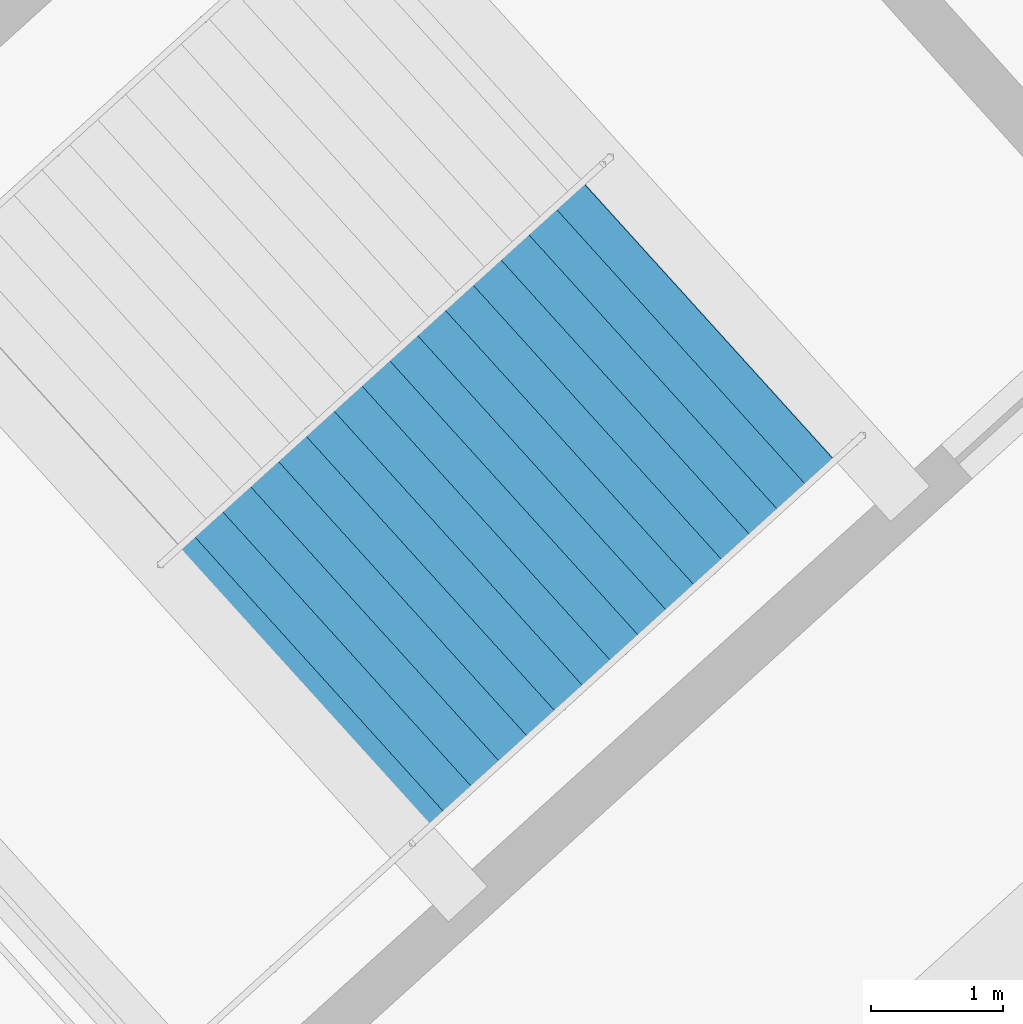
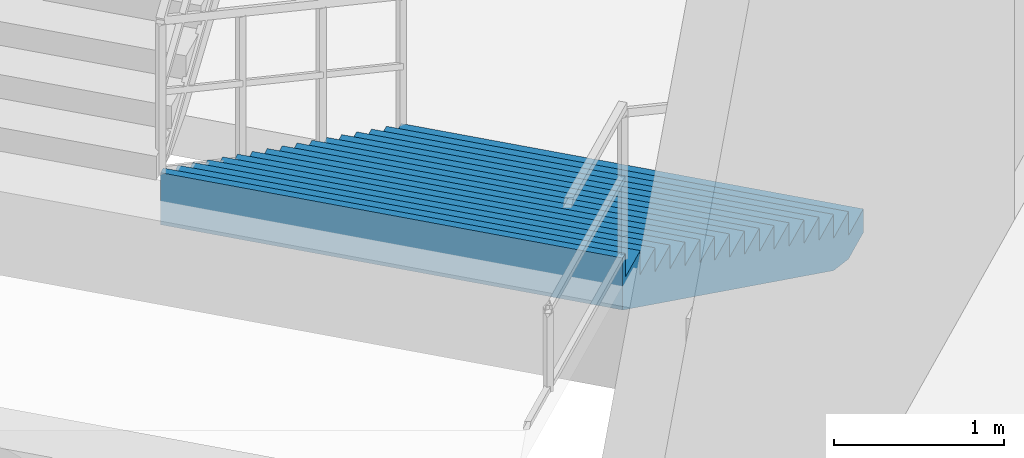
# One storey, part 36 of 48: 1 stair flight, 1 element without a shape of its own.
"""IFC4 building model written with IfcOpenShell, lengths in metres."""

from ifc_helpers import new_model, si_unit, direction, frame, origin, place, context, subcontext, project, spatial, polygons, material, type_object, element, aggregate, save


model = new_model("IFC4")

# Units and contexts
model_context = context("Model", 3, precision=1e-05, world=origin(), true_north=direction((0.0, 1.0)))
body_context = subcontext(model_context, "Body", "Model", "MODEL_VIEW")
ifc_project = project(units=[si_unit("LENGTHUNIT", "METRE"), si_unit("AREAUNIT", "SQUARE_METRE"), si_unit("VOLUMEUNIT", "CUBIC_METRE"), si_unit("PLANEANGLEUNIT", "RADIAN"), si_unit("MASSUNIT", "GRAM", prefix="KILO")], contexts=[model_context])

# Site, building, storey
site_placement = place(None, origin())
site = spatial("IfcSite", under=ifc_project, at=site_placement, CompositionType="ELEMENT")
building_placement = place(site_placement, origin())
building = spatial("IfcBuilding", under=site, at=building_placement, Name="Kazemori Nagisa Stadium", CompositionType="ELEMENT")
storey_placement = place(building_placement, origin())
storey = spatial("IfcBuildingStorey", under=building, at=storey_placement, Name="L00", CompositionType="ELEMENT", Elevation=0.0)

# Stair, stair flight
ifc_material = material(Name="Concrete C36/45 (Fc36)", Category="concrete")
stair_type = type_object("IfcStairType", Name="Stair_CORE_34", PredefinedType="TWO_STRAIGHT_RUN_STAIR", material=ifc_material)
stair_placement = place(storey_placement, origin())
stair = element("IfcStair", 1, at=stair_placement, inside=storey, type_object=stair_type, Name="Exit stair ST02 L00", PredefinedType="TWO_STRAIGHT_RUN_STAIR")
stair_flight_type = type_object("IfcStairFlightType", Name="Flight_CORE_17", PredefinedType="STRAIGHT", material=ifc_material)
stair_flight_placement = place(storey_placement, frame((63.22412109375, 164.589599609375, 0.0), z_axis=(0.0, 0.0, 1.0), x_axis=(-0.741355642131, -0.671112369041, 0.0)))
stair_flight = element("IfcStairFlight", 2, at=stair_flight_placement, type_object=stair_flight_type, Name="Exit stair ST02 L00 flight 1", NumberOfRisers=17, NumberOfTreads=16, PredefinedType="STRAIGHT", RiserHeight=0.17, TreadLength=0.285, context=body_context, shape_type="Tessellation", body=[
    polygons([(0.0, -1.425048828125, 0.0), (0.0, -1.425048828125, 0.169921875), (0.284912109375, -1.425048828125, 0.169921875), (0.284912109375, -1.425048828125, 0.340087890625), (0.570068359375, -1.425048828125, 0.340087890625), (0.570068359375, -1.425048828125, 0.510009765625), (0.85498046875, -1.425048828125, 0.510009765625), (0.85498046875, -1.425048828125, 0.679931640625), (1.139892578125, -1.425048828125, 0.679931640625), (1.139892578125, -1.425048828125, 0.85009765625), (1.425048828125, -1.425048828125, 0.85009765625), (1.425048828125, -1.425048828125, 1.02001953125), (1.7099609375, -1.425048828125, 1.02001953125), (1.7099609375, -1.425048828125, 1.18994140625), (1.9951171875, -1.425048828125, 1.18994140625), (1.9951171875, -1.425048828125, 1.360107421875), (2.280029296875, -1.425048828125, 1.360107421875), (2.280029296875, -1.425048828125, 1.530029296875), (2.56494140625, -1.425048828125, 1.530029296875), (2.56494140625, -1.425048828125, 1.699951171875), (2.85009765625, -1.425048828125, 1.699951171875), (2.85009765625, -1.425048828125, 1.8701171875), (3.135009765625, -1.425048828125, 1.8701171875), (3.135009765625, -1.425048828125, 2.0400390625), (3.419921875, -1.425048828125, 2.0400390625), (3.419921875, -1.425048828125, 2.2099609375), (3.705078125, -1.425048828125, 2.2099609375), (3.705078125, -1.425048828125, 2.3798828125), (3.989990234375, -1.425048828125, 2.3798828125), (3.989990234375, -1.425048828125, 2.550048828125), (4.27490234375, -1.425048828125, 2.550048828125), (4.27490234375, -1.425048828125, 2.719970703125), (4.56005859375, -1.425048828125, 2.719970703125), (4.56005859375, -1.425048828125, 2.889892578125), (4.610107421875, -1.425048828125, 2.889892578125), (4.610107421875, -1.425048828125, 2.51708984375), (4.56005859375, -1.425048828125, 2.487060546875), (4.27490234375, -1.425048828125, 2.317138671875), (3.989990234375, -1.425048828125, 2.147216796875), (3.705078125, -1.425048828125, 1.977294921875), (3.419921875, -1.425048828125, 1.80712890625), (3.135009765625, -1.425048828125, 1.63720703125), (2.85009765625, -1.425048828125, 1.46728515625), (2.56494140625, -1.425048828125, 1.297119140625), (2.280029296875, -1.425048828125, 1.127197265625), (1.9951171875, -1.425048828125, 0.957275390625), (1.7099609375, -1.425048828125, 0.787109375), (1.425048828125, -1.425048828125, 0.6171875), (1.139892578125, -1.425048828125, 0.447265625), (0.85498046875, -1.425048828125, 0.277099609375), (0.570068359375, -1.425048828125, 0.107177734375), (0.284912109375, -1.425048828125, 0.0), (0.0, -0.08544921875, 0.0), (0.0, -0.08544921875, 0.169921875), (0.284912109375, -0.08544921875, 0.169921875), (0.284912109375, -0.08544921875, 0.340087890625), (0.570068359375, -0.08544921875, 0.340087890625), (0.570068359375, -0.08544921875, 0.510009765625), (0.85498046875, -0.08544921875, 0.510009765625), (0.85498046875, -0.08544921875, 0.679931640625), (1.139892578125, -0.08544921875, 0.679931640625), (1.139892578125, -0.08544921875, 0.85009765625), (1.425048828125, -0.08544921875, 0.85009765625), (1.425048828125, -0.08544921875, 1.02001953125), (1.7099609375, -0.08544921875, 1.02001953125), (1.7099609375, -0.08544921875, 1.18994140625), (1.9951171875, -0.08544921875, 1.18994140625), (1.9951171875, -0.08544921875, 1.360107421875), (2.280029296875, -0.08544921875, 1.360107421875), (2.280029296875, -0.08544921875, 1.530029296875), (2.56494140625, -0.08544921875, 1.530029296875), (2.56494140625, -0.08544921875, 1.699951171875), (2.85009765625, -0.08544921875, 1.699951171875), (2.85009765625, -0.08544921875, 1.8701171875), (3.135009765625, -0.08544921875, 1.8701171875), (3.135009765625, -0.08544921875, 2.0400390625), (3.419921875, -0.08544921875, 2.0400390625), (3.419921875, -0.08544921875, 2.2099609375), (3.705078125, -0.08544921875, 2.2099609375), (3.705078125, -0.08544921875, 2.3798828125), (3.989990234375, -0.08544921875, 2.3798828125), (3.989990234375, -0.08544921875, 2.550048828125), (4.27490234375, -0.08544921875, 2.550048828125), (4.27490234375, -0.08544921875, 2.719970703125), (4.56005859375, -0.08544921875, 2.719970703125), (4.56005859375, -0.08544921875, 2.889892578125), (4.610107421875, -0.08544921875, 2.889892578125), (4.610107421875, -0.08544921875, 2.51708984375), (4.56005859375, -0.08544921875, 2.487060546875), (4.27490234375, -0.08544921875, 2.317138671875), (3.989990234375, -0.08544921875, 2.147216796875), (3.705078125, -0.08544921875, 1.977294921875), (3.419921875, -0.08544921875, 1.80712890625), (3.135009765625, -0.08544921875, 1.63720703125), (2.85009765625, -0.08544921875, 1.46728515625), (2.56494140625, -0.08544921875, 1.297119140625), (2.280029296875, -0.08544921875, 1.127197265625), (1.9951171875, -0.08544921875, 0.957275390625), (1.7099609375, -0.08544921875, 0.787109375), (1.425048828125, -0.08544921875, 0.6171875), (1.139892578125, -0.08544921875, 0.447265625), (0.85498046875, -0.08544921875, 0.277099609375), (0.570068359375, -0.08544921875, 0.107177734375), (0.284912109375, -0.08544921875, 0.0), (0.0, 0.0, 0.0), (0.0, 0.0, 0.169921875), (0.284912109375, 0.0, 0.169921875), (0.284912109375, 0.0, 0.340087890625), (0.570068359375, 0.0, 0.340087890625), (0.570068359375, 0.0, 0.510009765625), (0.85498046875, 0.0, 0.510009765625), (0.85498046875, 0.0, 0.679931640625), (1.139892578125, 0.0, 0.679931640625), (1.139892578125, 0.0, 0.85009765625), (1.425048828125, 0.0, 0.85009765625), (1.425048828125, 0.0, 1.02001953125), (1.7099609375, 0.0, 1.02001953125), (1.7099609375, 0.0, 1.18994140625), (1.9951171875, 0.0, 1.18994140625), (1.9951171875, 0.0, 1.360107421875), (2.280029296875, 0.0, 1.360107421875), (2.280029296875, 0.0, 1.530029296875), (2.56494140625, 0.0, 1.530029296875), (2.56494140625, 0.0, 1.699951171875), (2.85009765625, 0.0, 1.699951171875), (2.85009765625, 0.0, 1.8701171875), (3.135009765625, 0.0, 1.8701171875), (3.135009765625, 0.0, 2.0400390625), (3.419921875, 0.0, 2.0400390625), (3.419921875, 0.0, 2.2099609375), (3.705078125, 0.0, 2.2099609375), (3.705078125, 0.0, 2.3798828125), (3.989990234375, 0.0, 2.3798828125), (3.989990234375, 0.0, 2.550048828125), (4.27490234375, 0.0, 2.550048828125), (4.27490234375, 0.0, 2.719970703125), (4.56005859375, 0.0, 2.719970703125), (4.56005859375, 0.0, 2.889892578125), (4.610107421875, 0.0, 2.889892578125), (4.610107421875, 0.0, 2.51708984375), (4.56005859375, 0.0, 2.487060546875), (4.27490234375, 0.0, 2.317138671875), (3.989990234375, 0.0, 2.147216796875), (3.705078125, 0.0, 1.977294921875), (3.419921875, 0.0, 1.80712890625), (3.135009765625, 0.0, 1.63720703125), (2.85009765625, 0.0, 1.46728515625), (2.56494140625, 0.0, 1.297119140625), (2.280029296875, 0.0, 1.127197265625), (1.9951171875, 0.0, 0.957275390625), (1.7099609375, 0.0, 0.787109375), (1.425048828125, 0.0, 0.6171875), (1.139892578125, 0.0, 0.447265625), (0.85498046875, 0.0, 0.277099609375), (0.570068359375, 0.0, 0.107177734375), (0.284912109375, 0.0, 0.0), (0.0, 0.08544921875, 0.0), (0.0, 0.08544921875, 0.169921875), (0.284912109375, 0.08544921875, 0.169921875), (0.284912109375, 0.08544921875, 0.340087890625), (0.570068359375, 0.08544921875, 0.340087890625), (0.570068359375, 0.08544921875, 0.510009765625), (0.85498046875, 0.08544921875, 0.510009765625), (0.85498046875, 0.08544921875, 0.679931640625), (1.139892578125, 0.08544921875, 0.679931640625), (1.139892578125, 0.08544921875, 0.85009765625), (1.425048828125, 0.08544921875, 0.85009765625), (1.425048828125, 0.08544921875, 1.02001953125), (1.7099609375, 0.08544921875, 1.02001953125), (1.7099609375, 0.08544921875, 1.18994140625), (1.9951171875, 0.08544921875, 1.18994140625), (1.9951171875, 0.08544921875, 1.360107421875), (2.280029296875, 0.08544921875, 1.360107421875), (2.280029296875, 0.08544921875, 1.530029296875), (2.56494140625, 0.08544921875, 1.530029296875), (2.56494140625, 0.08544921875, 1.699951171875), (2.85009765625, 0.08544921875, 1.699951171875), (2.85009765625, 0.08544921875, 1.8701171875), (3.135009765625, 0.08544921875, 1.8701171875), (3.135009765625, 0.08544921875, 2.0400390625), (3.419921875, 0.08544921875, 2.0400390625), (3.419921875, 0.08544921875, 2.2099609375), (3.705078125, 0.08544921875, 2.2099609375), (3.705078125, 0.08544921875, 2.3798828125), (3.989990234375, 0.08544921875, 2.3798828125), (3.989990234375, 0.08544921875, 2.550048828125), (4.27490234375, 0.08544921875, 2.550048828125), (4.27490234375, 0.08544921875, 2.719970703125), (4.56005859375, 0.08544921875, 2.719970703125), (4.56005859375, 0.08544921875, 2.889892578125), (4.610107421875, 0.08544921875, 2.889892578125), (4.610107421875, 0.08544921875, 2.51708984375), (4.56005859375, 0.08544921875, 2.487060546875), (4.27490234375, 0.08544921875, 2.317138671875), (3.989990234375, 0.08544921875, 2.147216796875), (3.705078125, 0.08544921875, 1.977294921875), (3.419921875, 0.08544921875, 1.80712890625), (3.135009765625, 0.08544921875, 1.63720703125), (2.85009765625, 0.08544921875, 1.46728515625), (2.56494140625, 0.08544921875, 1.297119140625), (2.280029296875, 0.08544921875, 1.127197265625), (1.9951171875, 0.08544921875, 0.957275390625), (1.7099609375, 0.08544921875, 0.787109375), (1.425048828125, 0.08544921875, 0.6171875), (1.139892578125, 0.08544921875, 0.447265625), (0.85498046875, 0.08544921875, 0.277099609375), (0.570068359375, 0.08544921875, 0.107177734375), (0.284912109375, 0.08544921875, 0.0), (0.0, 1.425048828125, 0.0), (0.0, 1.425048828125, 0.169921875), (0.284912109375, 1.425048828125, 0.169921875), (0.284912109375, 1.425048828125, 0.340087890625), (0.570068359375, 1.425048828125, 0.340087890625), (0.570068359375, 1.425048828125, 0.510009765625), (0.85498046875, 1.425048828125, 0.510009765625), (0.85498046875, 1.425048828125, 0.679931640625), (1.139892578125, 1.425048828125, 0.679931640625), (1.139892578125, 1.425048828125, 0.85009765625), (1.425048828125, 1.425048828125, 0.85009765625), (1.425048828125, 1.425048828125, 1.02001953125), (1.7099609375, 1.425048828125, 1.02001953125), (1.7099609375, 1.425048828125, 1.18994140625), (1.9951171875, 1.425048828125, 1.18994140625), (1.9951171875, 1.425048828125, 1.360107421875), (2.280029296875, 1.425048828125, 1.360107421875), (2.280029296875, 1.425048828125, 1.530029296875), (2.56494140625, 1.425048828125, 1.530029296875), (2.56494140625, 1.425048828125, 1.699951171875), (2.85009765625, 1.425048828125, 1.699951171875), (2.85009765625, 1.425048828125, 1.8701171875), (3.135009765625, 1.425048828125, 1.8701171875), (3.135009765625, 1.425048828125, 2.0400390625), (3.419921875, 1.425048828125, 2.0400390625), (3.419921875, 1.425048828125, 2.2099609375), (3.705078125, 1.425048828125, 2.2099609375), (3.705078125, 1.425048828125, 2.3798828125), (3.989990234375, 1.425048828125, 2.3798828125), (3.989990234375, 1.425048828125, 2.550048828125), (4.27490234375, 1.425048828125, 2.550048828125), (4.27490234375, 1.425048828125, 2.719970703125), (4.56005859375, 1.425048828125, 2.719970703125), (4.56005859375, 1.425048828125, 2.889892578125), (4.610107421875, 1.425048828125, 2.889892578125), (4.610107421875, 1.425048828125, 2.51708984375), (4.56005859375, 1.425048828125, 2.487060546875), (4.27490234375, 1.425048828125, 2.317138671875), (3.989990234375, 1.425048828125, 2.147216796875), (3.705078125, 1.425048828125, 1.977294921875), (3.419921875, 1.425048828125, 1.80712890625), (3.135009765625, 1.425048828125, 1.63720703125), (2.85009765625, 1.425048828125, 1.46728515625), (2.56494140625, 1.425048828125, 1.297119140625), (2.280029296875, 1.425048828125, 1.127197265625), (1.9951171875, 1.425048828125, 0.957275390625), (1.7099609375, 1.425048828125, 0.787109375), (1.425048828125, 1.425048828125, 0.6171875), (1.139892578125, 1.425048828125, 0.447265625), (0.85498046875, 1.425048828125, 0.277099609375), (0.570068359375, 1.425048828125, 0.107177734375), (0.284912109375, 1.425048828125, 0.0)], [[[1, 2, 54]], [[1, 54, 53]], [[2, 3, 55]], [[2, 55, 54]], [[3, 4, 56]], [[3, 56, 55]], [[4, 5, 57]], [[4, 57, 56]], [[5, 6, 58]], [[5, 58, 57]], [[6, 7, 59]], [[6, 59, 58]], [[7, 8, 60]], [[7, 60, 59]], [[8, 9, 61]], [[8, 61, 60]], [[9, 10, 62]], [[9, 62, 61]], [[10, 11, 63]], [[10, 63, 62]], [[11, 12, 64]], [[11, 64, 63]], [[12, 13, 65]], [[12, 65, 64]], [[13, 14, 66]], [[13, 66, 65]], [[14, 15, 67]], [[14, 67, 66]], [[15, 16, 68]], [[15, 68, 67]], [[16, 17, 69]], [[16, 69, 68]], [[17, 18, 70]], [[17, 70, 69]], [[18, 19, 71]], [[18, 71, 70]], [[19, 20, 72]], [[19, 72, 71]], [[20, 21, 73]], [[20, 73, 72]], [[21, 22, 74]], [[21, 74, 73]], [[22, 23, 75]], [[22, 75, 74]], [[23, 24, 76]], [[23, 76, 75]], [[24, 25, 77]], [[24, 77, 76]], [[25, 26, 78]], [[25, 78, 77]], [[26, 27, 79]], [[26, 79, 78]], [[27, 28, 80]], [[27, 80, 79]], [[28, 29, 81]], [[28, 81, 80]], [[29, 30, 82]], [[29, 82, 81]], [[30, 31, 83]], [[30, 83, 82]], [[31, 32, 84]], [[31, 84, 83]], [[32, 33, 85]], [[32, 85, 84]], [[33, 34, 86]], [[33, 86, 85]], [[34, 35, 87]], [[34, 87, 86]], [[35, 36, 88]], [[35, 88, 87]], [[36, 37, 89]], [[36, 89, 88]], [[37, 38, 90]], [[37, 90, 89]], [[38, 39, 91]], [[38, 91, 90]], [[39, 40, 92]], [[39, 92, 91]], [[40, 41, 93]], [[40, 93, 92]], [[41, 42, 94]], [[41, 94, 93]], [[42, 43, 95]], [[42, 95, 94]], [[43, 44, 96]], [[43, 96, 95]], [[44, 45, 97]], [[44, 97, 96]], [[45, 46, 98]], [[45, 98, 97]], [[46, 47, 99]], [[46, 99, 98]], [[47, 48, 100]], [[47, 100, 99]], [[48, 49, 101]], [[48, 101, 100]], [[49, 50, 102]], [[49, 102, 101]], [[50, 51, 103]], [[50, 103, 102]], [[51, 52, 104]], [[51, 104, 103]], [[52, 1, 53]], [[52, 53, 104]], [[53, 54, 106]], [[53, 106, 105]], [[54, 55, 107]], [[54, 107, 106]], [[55, 56, 108]], [[55, 108, 107]], [[56, 57, 109]], [[56, 109, 108]], [[57, 58, 110]], [[57, 110, 109]], [[58, 59, 111]], [[58, 111, 110]], [[59, 60, 112]], [[59, 112, 111]], [[60, 61, 113]], [[60, 113, 112]], [[61, 62, 114]], [[61, 114, 113]], [[62, 63, 115]], [[62, 115, 114]], [[63, 64, 116]], [[63, 116, 115]], [[64, 65, 117]], [[64, 117, 116]], [[65, 66, 118]], [[65, 118, 117]], [[66, 67, 119]], [[66, 119, 118]], [[67, 68, 120]], [[67, 120, 119]], [[68, 69, 121]], [[68, 121, 120]], [[69, 70, 122]], [[69, 122, 121]], [[70, 71, 123]], [[70, 123, 122]], [[71, 72, 124]], [[71, 124, 123]], [[72, 73, 125]], [[72, 125, 124]], [[73, 74, 126]], [[73, 126, 125]], [[74, 75, 127]], [[74, 127, 126]], [[75, 76, 128]], [[75, 128, 127]], [[76, 77, 129]], [[76, 129, 128]], [[77, 78, 130]], [[77, 130, 129]], [[78, 79, 131]], [[78, 131, 130]], [[79, 80, 132]], [[79, 132, 131]], [[80, 81, 133]], [[80, 133, 132]], [[81, 82, 134]], [[81, 134, 133]], [[82, 83, 135]], [[82, 135, 134]], [[83, 84, 136]], [[83, 136, 135]], [[84, 85, 137]], [[84, 137, 136]], [[85, 86, 138]], [[85, 138, 137]], [[86, 87, 139]], [[86, 139, 138]], [[87, 88, 140]], [[87, 140, 139]], [[88, 89, 141]], [[88, 141, 140]], [[89, 90, 142]], [[89, 142, 141]], [[90, 91, 143]], [[90, 143, 142]], [[91, 92, 144]], [[91, 144, 143]], [[92, 93, 145]], [[92, 145, 144]], [[93, 94, 146]], [[93, 146, 145]], [[94, 95, 147]], [[94, 147, 146]], [[95, 96, 148]], [[95, 148, 147]], [[96, 97, 149]], [[96, 149, 148]], [[97, 98, 150]], [[97, 150, 149]], [[98, 99, 151]], [[98, 151, 150]], [[99, 100, 152]], [[99, 152, 151]], [[100, 101, 153]], [[100, 153, 152]], [[101, 102, 154]], [[101, 154, 153]], [[102, 103, 155]], [[102, 155, 154]], [[103, 104, 156]], [[103, 156, 155]], [[104, 53, 105]], [[104, 105, 156]], [[105, 106, 158]], [[105, 158, 157]], [[106, 107, 159]], [[106, 159, 158]], [[107, 108, 160]], [[107, 160, 159]], [[108, 109, 161]], [[108, 161, 160]], [[109, 110, 162]], [[109, 162, 161]], [[110, 111, 163]], [[110, 163, 162]], [[111, 112, 164]], [[111, 164, 163]], [[112, 113, 165]], [[112, 165, 164]], [[113, 114, 166]], [[113, 166, 165]], [[114, 115, 167]], [[114, 167, 166]], [[115, 116, 168]], [[115, 168, 167]], [[116, 117, 169]], [[116, 169, 168]], [[117, 118, 170]], [[117, 170, 169]], [[118, 119, 171]], [[118, 171, 170]], [[119, 120, 172]], [[119, 172, 171]], [[120, 121, 173]], [[120, 173, 172]], [[121, 122, 174]], [[121, 174, 173]], [[122, 123, 175]], [[122, 175, 174]], [[123, 124, 176]], [[123, 176, 175]], [[124, 125, 177]], [[124, 177, 176]], [[125, 126, 178]], [[125, 178, 177]], [[126, 127, 179]], [[126, 179, 178]], [[127, 128, 180]], [[127, 180, 179]], [[128, 129, 181]], [[128, 181, 180]], [[129, 130, 182]], [[129, 182, 181]], [[130, 131, 183]], [[130, 183, 182]], [[131, 132, 184]], [[131, 184, 183]], [[132, 133, 185]], [[132, 185, 184]], [[133, 134, 186]], [[133, 186, 185]], [[134, 135, 187]], [[134, 187, 186]], [[135, 136, 188]], [[135, 188, 187]], [[136, 137, 189]], [[136, 189, 188]], [[137, 138, 190]], [[137, 190, 189]], [[138, 139, 191]], [[138, 191, 190]], [[139, 140, 192]], [[139, 192, 191]], [[140, 141, 193]], [[140, 193, 192]], [[141, 142, 194]], [[141, 194, 193]], [[142, 143, 195]], [[142, 195, 194]], [[143, 144, 196]], [[143, 196, 195]], [[144, 145, 197]], [[144, 197, 196]], [[145, 146, 198]], [[145, 198, 197]], [[146, 147, 199]], [[146, 199, 198]], [[147, 148, 200]], [[147, 200, 199]], [[148, 149, 201]], [[148, 201, 200]], [[149, 150, 202]], [[149, 202, 201]], [[150, 151, 203]], [[150, 203, 202]], [[151, 152, 204]], [[151, 204, 203]], [[152, 153, 205]], [[152, 205, 204]], [[153, 154, 206]], [[153, 206, 205]], [[154, 155, 207]], [[154, 207, 206]], [[155, 156, 208]], [[155, 208, 207]], [[156, 105, 157]], [[156, 157, 208]], [[157, 158, 210]], [[157, 210, 209]], [[158, 159, 211]], [[158, 211, 210]], [[159, 160, 212]], [[159, 212, 211]], [[160, 161, 213]], [[160, 213, 212]], [[161, 162, 214]], [[161, 214, 213]], [[162, 163, 215]], [[162, 215, 214]], [[163, 164, 216]], [[163, 216, 215]], [[164, 165, 217]], [[164, 217, 216]], [[165, 166, 218]], [[165, 218, 217]], [[166, 167, 219]], [[166, 219, 218]], [[167, 168, 220]], [[167, 220, 219]], [[168, 169, 221]], [[168, 221, 220]], [[169, 170, 222]], [[169, 222, 221]], [[170, 171, 223]], [[170, 223, 222]], [[171, 172, 224]], [[171, 224, 223]], [[172, 173, 225]], [[172, 225, 224]], [[173, 174, 226]], [[173, 226, 225]], [[174, 175, 227]], [[174, 227, 226]], [[175, 176, 228]], [[175, 228, 227]], [[176, 177, 229]], [[176, 229, 228]], [[177, 178, 230]], [[177, 230, 229]], [[178, 179, 231]], [[178, 231, 230]], [[179, 180, 232]], [[179, 232, 231]], [[180, 181, 233]], [[180, 233, 232]], [[181, 182, 234]], [[181, 234, 233]], [[182, 183, 235]], [[182, 235, 234]], [[183, 184, 236]], [[183, 236, 235]], [[184, 185, 237]], [[184, 237, 236]], [[185, 186, 238]], [[185, 238, 237]], [[186, 187, 239]], [[186, 239, 238]], [[187, 188, 240]], [[187, 240, 239]], [[188, 189, 241]], [[188, 241, 240]], [[189, 190, 242]], [[189, 242, 241]], [[190, 191, 243]], [[190, 243, 242]], [[191, 192, 244]], [[191, 244, 243]], [[192, 193, 245]], [[192, 245, 244]], [[193, 194, 246]], [[193, 246, 245]], [[194, 195, 247]], [[194, 247, 246]], [[195, 196, 248]], [[195, 248, 247]], [[196, 197, 249]], [[196, 249, 248]], [[197, 198, 250]], [[197, 250, 249]], [[198, 199, 251]], [[198, 251, 250]], [[199, 200, 252]], [[199, 252, 251]], [[200, 201, 253]], [[200, 253, 252]], [[201, 202, 254]], [[201, 254, 253]], [[202, 203, 255]], [[202, 255, 254]], [[203, 204, 256]], [[203, 256, 255]], [[204, 205, 257]], [[204, 257, 256]], [[205, 206, 258]], [[205, 258, 257]], [[206, 207, 259]], [[206, 259, 258]], [[207, 208, 260]], [[207, 260, 259]], [[208, 157, 209]], [[208, 209, 260]], [[3, 2, 1]], [[209, 210, 211]], [[52, 3, 1]], [[209, 211, 260]], [[51, 3, 52]], [[260, 211, 259]], [[5, 3, 51]], [[259, 211, 213]], [[5, 4, 3]], [[211, 212, 213]], [[50, 5, 51]], [[259, 213, 258]], [[7, 5, 50]], [[258, 213, 215]], [[7, 6, 5]], [[213, 214, 215]], [[49, 7, 50]], [[258, 215, 257]], [[9, 7, 49]], [[257, 215, 217]], [[9, 8, 7]], [[215, 216, 217]], [[48, 9, 49]], [[257, 217, 256]], [[11, 9, 48]], [[256, 217, 219]], [[11, 10, 9]], [[217, 218, 219]], [[47, 11, 48]], [[256, 219, 255]], [[13, 11, 47]], [[255, 219, 221]], [[13, 12, 11]], [[219, 220, 221]], [[46, 13, 47]], [[255, 221, 254]], [[15, 13, 46]], [[254, 221, 223]], [[15, 14, 13]], [[221, 222, 223]], [[45, 15, 46]], [[254, 223, 253]], [[17, 15, 45]], [[253, 223, 225]], [[17, 16, 15]], [[223, 224, 225]], [[44, 17, 45]], [[253, 225, 252]], [[19, 17, 44]], [[252, 225, 227]], [[19, 18, 17]], [[225, 226, 227]], [[43, 19, 44]], [[252, 227, 251]], [[21, 19, 43]], [[251, 227, 229]], [[21, 20, 19]], [[227, 228, 229]], [[42, 21, 43]], [[251, 229, 250]], [[23, 21, 42]], [[250, 229, 231]], [[23, 22, 21]], [[229, 230, 231]], [[41, 23, 42]], [[250, 231, 249]], [[25, 23, 41]], [[249, 231, 233]], [[25, 24, 23]], [[231, 232, 233]], [[40, 25, 41]], [[249, 233, 248]], [[27, 25, 40]], [[248, 233, 235]], [[27, 26, 25]], [[233, 234, 235]], [[39, 27, 40]], [[248, 235, 247]], [[29, 27, 39]], [[247, 235, 237]], [[29, 28, 27]], [[235, 236, 237]], [[38, 29, 39]], [[247, 237, 246]], [[31, 29, 38]], [[246, 237, 239]], [[31, 30, 29]], [[237, 238, 239]], [[37, 31, 38]], [[246, 239, 245]], [[33, 31, 37]], [[245, 239, 241]], [[33, 32, 31]], [[239, 240, 241]], [[36, 33, 37]], [[245, 241, 244]], [[35, 33, 36]], [[244, 241, 243]], [[35, 34, 33]], [[241, 242, 243]]], closed=True),
])
aggregate(stair, [stair_flight])

save(model, "model.ifc")
